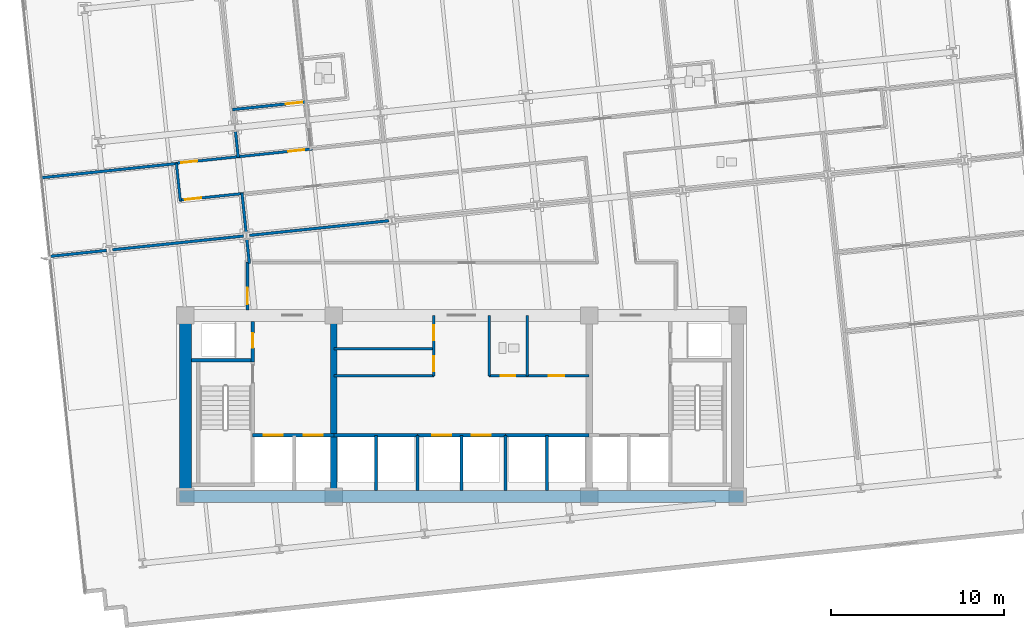
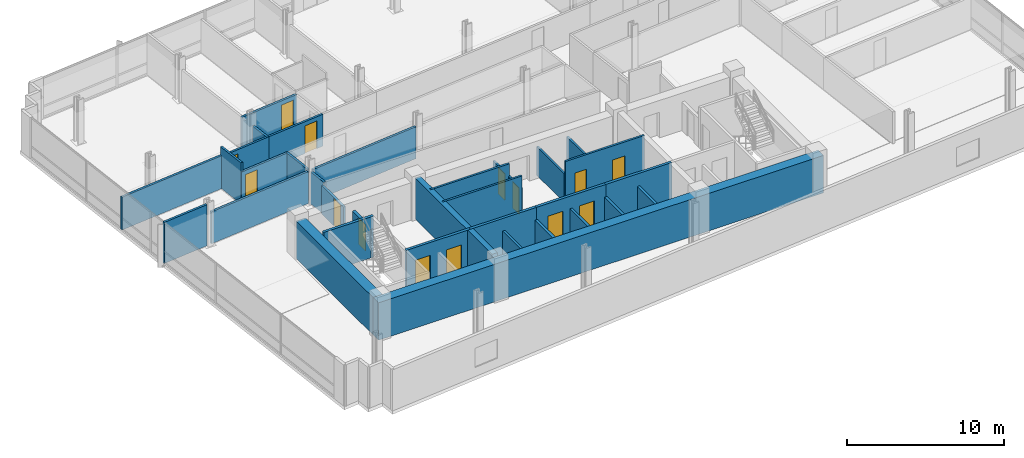
# One storey, part 13 of 21: 33 walls, 14 doors, 14 openings.
"""IFC4 building model written with IfcOpenShell, lengths in metres."""

from ifc_helpers import new_model, si_unit, direction, frame, frame_2d, origin, place, context, subcontext, project, spatial, rectangle, extrude, material, layer, layer_set, type_object, element, fill, save


model = new_model("IFC4")

# Units and contexts
model_context = context("Model", 3, precision=1e-05, world=origin(), true_north=direction((0.0, 1.0)))
body_context = subcontext(model_context, "Body", "Model", "MODEL_VIEW")
ifc_project = project(units=[si_unit("LENGTHUNIT", "METRE"), si_unit("AREAUNIT", "SQUARE_METRE"), si_unit("VOLUMEUNIT", "CUBIC_METRE"), si_unit("PLANEANGLEUNIT", "RADIAN"), si_unit("MASSUNIT", "GRAM", prefix="KILO")], contexts=[model_context])

# Site, building, storey
site_placement = place(None, origin())
site = spatial("IfcSite", under=ifc_project, at=site_placement, CompositionType="ELEMENT")
building_placement = place(site_placement, origin())
building = spatial("IfcBuilding", under=site, at=building_placement, Name="Solmavex Isthmus Hotel", CompositionType="ELEMENT")
storey_placement = place(building_placement, frame((0.0, 0.0, 106.35009765625)))
storey = spatial("IfcBuildingStorey", under=building, at=storey_placement, Name="L28", CompositionType="ELEMENT", Elevation=106.35009765625)

# Walls
ifc_material_1 = material(Name="Gypsum plasterboard lining", Category="gypsum")
ifc_layer_1 = layer(ifc_material_1, 0.159912109375)
ifc_layer_set_1 = layer_set([ifc_layer_1], Name="Gypsum plasterboard lining")
wall_type_1 = type_object("IfcWallType", Name="IW-COMP-160", PredefinedType="PARTITIONING", material=ifc_layer_set_1)
wall_1_placement = place(storey_placement, frame((-13.0986328125, 8.206787109375, 0.0), z_axis=(0.0, 0.0, 1.0), x_axis=(0.104578999325, -0.994516582516, 0.0)))
element("IfcWall", 1, at=wall_1_placement, inside=storey, type_object=wall_type_1, Name="Interior Partition Wall W-L28-P023", PredefinedType="PARTITIONING", context=body_context, shape_type="SweptSolid", body=[
    extrude(rectangle(XDim=1.561767578125, YDim=0.159912109375, at=frame_2d((0.78076171875, 0.0))), origin(), (0.0, 0.0, 1.0), 2.4794921875),
])
wall_2_placement = place(storey_placement, frame((-16.47802734375, 6.301513671875, 0.0), z_axis=(0.0, 0.0, 1.0), x_axis=(-0.994519786396, -0.104548526856, 0.0)))
element("IfcWall", 2, at=wall_2_placement, inside=storey, type_object=wall_type_1, Name="Interior Partition Wall W-L28-P026", PredefinedType="PARTITIONING", context=body_context, shape_type="SweptSolid", body=[
    extrude(rectangle(XDim=7.927978515625, YDim=0.159912109375, at=frame_2d((3.9638671875, 0.0))), origin(), (0.0, 0.0, 1.0), 2.55322265625),
])

# Wall, opening, door
wall_3_placement = place(storey_placement, frame((-13.266845703125, 9.424072265625, 0.0), z_axis=(0.0, 0.0, 1.0), x_axis=(0.994519401846, 0.104552184826, 0.0)))
wall_3 = element("IfcWall", 3, at=wall_3_placement, inside=storey, type_object=wall_type_1, Name="Interior Partition Wall W-L28-P027", PredefinedType="PARTITIONING", context=body_context, shape_type="SweptSolid", body=[
    extrude(rectangle(XDim=4.31298828125, YDim=0.159912109375, at=frame_2d((2.156494140625, 0.0))), origin(), (0.0, 0.0, 1.0), 2.4794921875),
])
opening_1_placement = place(wall_3_placement, frame((3.103759765625, 0.0, 0.0)))
opening_1 = element("IfcOpeningElement", 4, at=opening_1_placement, cuts=wall_3, Name="Opening ID-C095", PredefinedType="OPENING", context=body_context, shape_type="SweptSolid", body=[
    extrude(rectangle(XDim=0.949951171875, YDim=2.14990234375, at=frame_2d((0.47509765625, 1.074951171875))), frame((0.0, 0.08984375, 0.0), z_axis=(0.0, -1.0, 0.0), x_axis=(1.0, 0.0, 0.0)), (0.0, 0.0, 1.0), 0.179931640625),
])
ifc_material_2 = material(Name="Hardwood timber", Category="wood")
door_type_1 = type_object("IfcDoorType", Name="IDR-FD60-0950", OperationType="NOTDEFINED", PredefinedType="DOOR", material=ifc_material_2)
door_1_placement = place(opening_1_placement, origin())
door_1 = element("IfcDoor", 5, at=door_1_placement, inside=storey, type_object=door_type_1, Name="Premier Suite Master Bedroom Door L28-03", OperationType="SINGLE_SWING_LEFT", OverallHeight=2.14990234375, OverallWidth=0.949951171875, PredefinedType="DOOR", context=body_context, shape_type="SweptSolid", body=[
    extrude(rectangle(XDim=0.949951171875, YDim=2.14990234375, at=frame_2d((0.47509765625, 1.074951171875))), frame((0.0, 0.02490234375, 0.0), z_axis=(0.0, -1.0, 0.0), x_axis=(1.0, 0.0, 0.0)), (0.0, 0.0, 1.0), 0.050048828125),
])
fill(opening_1, door_1)

# Walls
wall_4_placement = place(storey_placement, frame((-12.718994140625, 4.594970703125, 0.0), z_axis=(0.0, 0.0, 1.0), x_axis=(0.104569435529, -0.994517588157, 0.0)))
element("IfcWall", 6, at=wall_4_placement, inside=storey, type_object=wall_type_1, Name="Interior Partition Wall W-L28-P049", PredefinedType="PARTITIONING", context=body_context, shape_type="SweptSolid", body=[
    extrude(rectangle(XDim=2.313720703125, YDim=0.159912109375, at=frame_2d((1.15673828125, 0.0))), origin(), (0.0, 0.0, 1.0), 2.4794921875),
])
wall_5_placement = place(storey_placement, frame((-20.558349609375, 1.267333984375, 0.0), z_axis=(0.0, 0.0, 1.0), x_axis=(-0.99451904707, -0.10455555946, 0.0)))
element("IfcWall", 7, at=wall_5_placement, inside=storey, type_object=wall_type_1, Name="Interior Partition Wall W-L28-P050", PredefinedType="PARTITIONING", context=body_context, shape_type="SweptSolid", body=[
    extrude(rectangle(XDim=3.34375, YDim=0.159912109375, at=frame_2d((1.671875, 0.0))), origin(), (0.0, 0.0, 1.0), 3.18994140625),
])
wall_6_placement = place(storey_placement, frame((-12.634033203125, 2.10009765625, 0.0), z_axis=(0.0, 0.0, 1.0), x_axis=(-0.994524056968, -0.104507894972, 0.0)))
element("IfcWall", 8, at=wall_6_placement, inside=storey, type_object=wall_type_1, Name="Interior Partition Wall W-L28-P051", PredefinedType="PARTITIONING", context=body_context, shape_type="SweptSolid", body=[
    extrude(rectangle(XDim=7.61572265625, YDim=0.159912109375, at=frame_2d((3.807861328125, 0.0))), origin(), (0.0, 0.0, 1.0), 2.4794921875),
])
wall_7_placement = place(storey_placement, frame((-4.21435546875, 2.985107421875, 0.0), z_axis=(0.0, 0.0, 1.0), x_axis=(-0.994521269983, -0.104534413238, 0.0)))
element("IfcWall", 9, at=wall_7_placement, inside=storey, type_object=wall_type_1, Name="Interior Partition Wall W-L28-P054", PredefinedType="PARTITIONING", context=body_context, shape_type="SweptSolid", body=[
    extrude(rectangle(XDim=8.113525390625, YDim=0.159912109375, at=frame_2d((4.056640625, 0.0))), origin(), (0.0, 0.0, 1.0), 2.4794921875),
])
wall_8_placement = place(storey_placement, frame((-12.289794921875, 0.51025390625, 0.0), z_axis=(0.0, 0.0, 1.0), x_axis=(-0.104534854339, 0.994521223619, 0.0)))
element("IfcWall", 10, at=wall_8_placement, inside=storey, type_object=wall_type_1, Name="Interior Partition Wall W-L28-P061", PredefinedType="PARTITIONING", context=body_context, shape_type="SweptSolid", body=[
    extrude(rectangle(XDim=1.44091796875, YDim=0.159912109375, at=frame_2d((0.720458984375, 0.0))), origin(), (0.0, 0.0, 1.0), 2.4794921875),
])
ifc_layer_2 = layer(ifc_material_1, 0.14990234375)
ifc_layer_set_2 = layer_set([ifc_layer_2], Name="Gypsum plasterboard lining")
wall_type_2 = type_object("IfcWallType", Name="IW-CORR-150", PredefinedType="PARTITIONING", material=ifc_layer_set_2)
wall_9_placement = place(storey_placement, frame((-7.39990234375, -6.0, 0.0), z_axis=(0.0, 0.0, 1.0), x_axis=(1.0, 0.0, 0.0)))
element("IfcWall", 11, at=wall_9_placement, inside=storey, type_object=wall_type_2, Name="Interior Partition Wall W-L28-BOH-WS", PredefinedType="PARTITIONING", context=body_context, shape_type="SweptSolid", body=[
    extrude(rectangle(XDim=5.7998046875, YDim=0.14990234375, at=frame_2d((2.89990234375, 0.0))), origin(), (0.0, 0.0, 1.0), 3.18994140625),
])

# Wall, openings, doors
wall_10_placement = place(storey_placement, frame((-1.60009765625, -6.0, 0.0), z_axis=(0.0, 0.0, 1.0), x_axis=(0.0, 1.0, 0.0)))
wall_10 = element("IfcWall", 12, at=wall_10_placement, inside=storey, type_object=wall_type_2, Name="Interior Partition Wall W-L28-BOH-WE", PredefinedType="PARTITIONING", context=body_context, shape_type="SweptSolid", body=[
    extrude(rectangle(XDim=3.5, YDim=0.14990234375, at=frame_2d((1.75, 0.0))), origin(), (0.0, 0.0, 1.0), 2.224853515625),
])
opening_2_placement = place(wall_10_placement, frame((0.27490234375, 0.0, 0.0)))
opening_2 = element("IfcOpeningElement", 13, at=opening_2_placement, cuts=wall_10, Name="Opening ID-R085", PredefinedType="OPENING", context=body_context, shape_type="SweptSolid", body=[
    extrude(rectangle(XDim=0.85009765625, YDim=2.050048828125, at=frame_2d((0.425048828125, 1.02490234375))), frame((0.0, 0.0849609375, 0.0), z_axis=(0.0, -1.0, 0.0), x_axis=(1.0, 0.0, 0.0)), (0.0, 0.0, 1.0), 0.169921875),
])
opening_3_placement = place(wall_10_placement, frame((2.074951171875, 0.0, 0.0)))
opening_3 = element("IfcOpeningElement", 14, at=opening_3_placement, cuts=wall_10, Name="Opening ID-R085", PredefinedType="OPENING", context=body_context, shape_type="SweptSolid", body=[
    extrude(rectangle(XDim=0.85009765625, YDim=2.050048828125, at=frame_2d((0.425048828125, 1.02490234375))), frame((0.0, 0.0849609375, 0.0), z_axis=(0.0, -1.0, 0.0), x_axis=(1.0, 0.0, 0.0)), (0.0, 0.0, 1.0), 0.169921875),
])
ifc_material_3 = material(Name="Steel ASTM A500 Grade C", Category="steel")
door_type_2 = type_object("IfcDoorType", Name="IDR-FD60-0850", OperationType="NOTDEFINED", PredefinedType="DOOR", material=ifc_material_3)
door_2_placement = place(opening_2_placement, origin())
door_2 = element("IfcDoor", 15, at=door_2_placement, inside=storey, type_object=door_type_2, Name="Housekeeping Door L28", OperationType="SINGLE_SWING_LEFT", OverallHeight=2.050048828125, OverallWidth=0.85009765625, PredefinedType="DOOR", context=body_context, shape_type="SweptSolid", body=[
    extrude(rectangle(XDim=0.85009765625, YDim=2.050048828125, at=frame_2d((0.425048828125, 1.02490234375))), frame((0.0, 0.02490234375, 0.0), z_axis=(0.0, -1.0, 0.0), x_axis=(1.0, 0.0, 0.0)), (0.0, 0.0, 1.0), 0.050048828125),
])
fill(opening_2, door_2)
door_3_placement = place(opening_3_placement, origin())
door_3 = element("IfcDoor", 16, at=door_3_placement, inside=storey, type_object=door_type_2, Name="Valet Store Door L28", OperationType="SINGLE_SWING_RIGHT", OverallHeight=2.050048828125, OverallWidth=0.85009765625, PredefinedType="DOOR", context=body_context, shape_type="SweptSolid", body=[
    extrude(rectangle(XDim=0.85009765625, YDim=2.050048828125, at=frame_2d((0.425048828125, 1.02490234375))), frame((0.0, 0.02490234375, 0.0), z_axis=(0.0, -1.0, 0.0), x_axis=(1.0, 0.0, 0.0)), (0.0, 0.0, 1.0), 0.050048828125),
])
fill(opening_3, door_3)

wall_11_placement = place(storey_placement, frame((1.60009765625, -6.0, 0.0), z_axis=(0.0, 0.0, 1.0), x_axis=(1.0, 0.0, 0.0)))
wall_11 = element("IfcWall", 17, at=wall_11_placement, inside=storey, type_object=wall_type_2, Name="Interior Partition Wall W-L28-BOH-ES", PredefinedType="PARTITIONING", context=body_context, shape_type="SweptSolid", body=[
    extrude(rectangle(XDim=5.7998046875, YDim=0.14990234375, at=frame_2d((2.89990234375, 0.0))), origin(), (0.0, 0.0, 1.0), 3.18994140625),
])
opening_4_placement = place(wall_11_placement, frame((0.675048828125, 0.0, 0.0)))
opening_4 = element("IfcOpeningElement", 18, at=opening_4_placement, cuts=wall_11, Name="Opening ID-R085", PredefinedType="OPENING", context=body_context, shape_type="SweptSolid", body=[
    extrude(rectangle(XDim=0.85009765625, YDim=2.050048828125, at=frame_2d((0.425048828125, 1.02490234375))), frame((0.0, 0.0849609375, 0.0), z_axis=(0.0, -1.0, 0.0), x_axis=(1.0, 0.0, 0.0)), (0.0, 0.0, 1.0), 0.169921875),
])
opening_5_placement = place(wall_11_placement, frame((3.449951171875, 0.0, 0.0)))
opening_5 = element("IfcOpeningElement", 19, at=opening_5_placement, cuts=wall_11, Name="Opening ID-C090", PredefinedType="OPENING", context=body_context, shape_type="SweptSolid", body=[
    extrude(rectangle(XDim=0.89990234375, YDim=2.10009765625, at=frame_2d((0.449951171875, 1.050048828125))), frame((0.0, 0.0849609375, 0.0), z_axis=(0.0, -1.0, 0.0), x_axis=(1.0, 0.0, 0.0)), (0.0, 0.0, 1.0), 0.169921875),
])
door_4_placement = place(opening_4_placement, frame((0.85009765625, 0.0, 0.0), z_axis=(0.0, 0.0, 1.0), x_axis=(-1.0, 0.0, 0.0)))
door_4 = element("IfcDoor", 20, at=door_4_placement, inside=storey, type_object=door_type_2, Name="Staff WC Door L28", OperationType="SINGLE_SWING_LEFT", OverallHeight=2.050048828125, OverallWidth=0.85009765625, PredefinedType="DOOR", context=body_context, shape_type="SweptSolid", body=[
    extrude(rectangle(XDim=0.85009765625, YDim=2.050048828125, at=frame_2d((0.425048828125, 1.02490234375))), frame((0.0, 0.02490234375, 0.0), z_axis=(0.0, -1.0, 0.0), x_axis=(1.0, 0.0, 0.0)), (0.0, 0.0, 1.0), 0.050048828125),
])
fill(opening_4, door_4)
door_type_3 = type_object("IfcDoorType", Name="IDR-FD60-0900", OperationType="NOTDEFINED", PredefinedType="DOOR", material=ifc_material_2)
door_5_placement = place(opening_5_placement, frame((0.89990234375, 0.0, 0.0), z_axis=(0.0, 0.0, 1.0), x_axis=(-1.0, 0.0, 0.0)))
door_5 = element("IfcDoor", 21, at=door_5_placement, inside=storey, type_object=door_type_3, Name="Room Service Door L28", OperationType="SINGLE_SWING_RIGHT", OverallHeight=2.10009765625, OverallWidth=0.89990234375, PredefinedType="DOOR", context=body_context, shape_type="SweptSolid", body=[
    extrude(rectangle(XDim=0.89990234375, YDim=2.10009765625, at=frame_2d((0.449951171875, 1.050048828125))), frame((0.0, 0.02490234375, 0.0), z_axis=(0.0, -1.0, 0.0), x_axis=(1.0, 0.0, 0.0)), (0.0, 0.0, 1.0), 0.050048828125),
])
fill(opening_5, door_5)

# Wall
wall_12_placement = place(storey_placement, frame((1.60009765625, -6.0, 0.0), z_axis=(0.0, 0.0, 1.0), x_axis=(0.0, 1.0, 0.0)))
element("IfcWall", 22, at=wall_12_placement, inside=storey, type_object=wall_type_2, Name="Interior Partition Wall W-L28-BOH-EW", PredefinedType="PARTITIONING", context=body_context, shape_type="SweptSolid", body=[
    extrude(rectangle(XDim=3.5, YDim=0.14990234375, at=frame_2d((1.75, 0.0))), origin(), (0.0, 0.0, 1.0), 2.224853515625),
])

# Wall, opening, door
wall_13_placement = place(storey_placement, frame((-16.5595703125, 6.31298828125, 0.0), z_axis=(0.0, 0.0, 1.0), x_axis=(0.994525204328, 0.104496975826, 0.0)))
wall_13 = element("IfcWall", 23, at=wall_13_placement, inside=storey, type_object=wall_type_2, Name="Interior Partition Wall W-L28-P001", PredefinedType="PARTITIONING", context=body_context, shape_type="SweptSolid", body=[
    extrude(rectangle(XDim=3.7216796875, YDim=0.14990234375, at=frame_2d((1.86083984375, 0.0))), origin(), (0.0, 0.0, 1.0), 2.4794921875),
])
opening_6_placement = place(wall_13_placement, frame((0.315185546875, 0.0, 0.0)))
opening_6 = element("IfcOpeningElement", 24, at=opening_6_placement, cuts=wall_13, Name="Opening ID-C095", PredefinedType="OPENING", context=body_context, shape_type="SweptSolid", body=[
    extrude(rectangle(XDim=0.949951171875, YDim=2.14990234375, at=frame_2d((0.47509765625, 1.074951171875))), frame((0.0, 0.0849609375, 0.0), z_axis=(0.0, -1.0, 0.0), x_axis=(1.0, 0.0, 0.0)), (0.0, 0.0, 1.0), 0.169921875),
])
door_6_placement = place(opening_6_placement, frame((0.949951171875, 0.0, 0.0), z_axis=(0.0, 0.0, 1.0), x_axis=(-1.0, 0.0, 0.0)))
door_6 = element("IfcDoor", 25, at=door_6_placement, inside=storey, type_object=door_type_1, Name="Executive Hospitality Lounge Door L28-01", OperationType="SINGLE_SWING_LEFT", OverallHeight=2.14990234375, OverallWidth=0.949951171875, PredefinedType="DOOR", context=body_context, shape_type="SweptSolid", body=[
    extrude(rectangle(XDim=0.949951171875, YDim=2.14990234375, at=frame_2d((0.47509765625, 1.074951171875))), frame((0.0, 0.02490234375, 0.0), z_axis=(0.0, -1.0, 0.0), x_axis=(1.0, 0.0, 0.0)), (0.0, 0.0, 1.0), 0.050048828125),
])
fill(opening_6, door_6)

wall_14_placement = place(storey_placement, frame((-13.021240234375, 6.684814453125, 0.0), z_axis=(0.0, 0.0, 1.0), x_axis=(0.9945197426, 0.104548943463, 0.0)))
wall_14 = element("IfcWall", 26, at=wall_14_placement, inside=storey, type_object=wall_type_2, Name="Interior Partition Wall W-L28-P002", PredefinedType="PARTITIONING", context=body_context, shape_type="SweptSolid", body=[
    extrude(rectangle(XDim=4.397216796875, YDim=0.14990234375, at=frame_2d((2.19873046875, 0.0))), origin(), (0.0, 0.0, 1.0), 2.4794921875),
])
opening_7_placement = place(wall_14_placement, frame((2.99267578125, 0.0, 0.0)))
opening_7 = element("IfcOpeningElement", 27, at=opening_7_placement, cuts=wall_14, Name="Opening ID-C095", PredefinedType="OPENING", context=body_context, shape_type="SweptSolid", body=[
    extrude(rectangle(XDim=0.949951171875, YDim=2.14990234375, at=frame_2d((0.47509765625, 1.074951171875))), frame((0.0, 0.0849609375, 0.0), z_axis=(0.0, -1.0, 0.0), x_axis=(1.0, 0.0, 0.0)), (0.0, 0.0, 1.0), 0.169921875),
])
door_7_placement = place(opening_7_placement, frame((0.949951171875, 0.0, 0.0), z_axis=(0.0, 0.0, 1.0), x_axis=(-1.0, 0.0, 0.0)))
door_7 = element("IfcDoor", 28, at=door_7_placement, inside=storey, type_object=door_type_1, Name="Premier Suite Entrance Hall Door L28-02", OperationType="SINGLE_SWING_RIGHT", OverallHeight=2.14990234375, OverallWidth=0.949951171875, PredefinedType="DOOR", context=body_context, shape_type="SweptSolid", body=[
    extrude(rectangle(XDim=0.949951171875, YDim=2.14990234375, at=frame_2d((0.47509765625, 1.074951171875))), frame((0.0, 0.02490234375, 0.0), z_axis=(0.0, -1.0, 0.0), x_axis=(1.0, 0.0, 0.0)), (0.0, 0.0, 1.0), 0.050048828125),
])
fill(opening_7, door_7)

wall_15_placement = place(storey_placement, frame((-12.63330078125, 4.563720703125, 0.0), z_axis=(0.0, 0.0, 1.0), x_axis=(-0.994525920558, -0.104490159046, 0.0)))
wall_15 = element("IfcWall", 29, at=wall_15_placement, inside=storey, type_object=wall_type_2, Name="Interior Partition Wall W-L28-P010", PredefinedType="PARTITIONING", context=body_context, shape_type="SweptSolid", body=[
    extrude(rectangle(XDim=3.721923828125, YDim=0.14990234375, at=frame_2d((1.86083984375, 0.0))), origin(), (0.0, 0.0, 1.0), 2.4794921875),
])
opening_8_placement = place(wall_15_placement, frame((2.456787109375, 0.0, 0.0)))
opening_8 = element("IfcOpeningElement", 30, at=opening_8_placement, cuts=wall_15, Name="Opening ID-C095", PredefinedType="OPENING", context=body_context, shape_type="SweptSolid", body=[
    extrude(rectangle(XDim=0.949951171875, YDim=2.14990234375, at=frame_2d((0.47509765625, 1.074951171875))), frame((0.0, 0.0849609375, 0.0), z_axis=(0.0, -1.0, 0.0), x_axis=(1.0, 0.0, 0.0)), (0.0, 0.0, 1.0), 0.169921875),
])
door_8_placement = place(opening_8_placement, frame((0.949951171875, 0.0, 0.0), z_axis=(0.0, 0.0, 1.0), x_axis=(-1.0, 0.0, 0.0)))
door_8 = element("IfcDoor", 31, at=door_8_placement, inside=storey, type_object=door_type_1, Name="Garden Servery Kitchen Door L28-11", OperationType="SINGLE_SWING_LEFT", OverallHeight=2.14990234375, OverallWidth=0.949951171875, PredefinedType="DOOR", context=body_context, shape_type="SweptSolid", body=[
    extrude(rectangle(XDim=0.949951171875, YDim=2.14990234375, at=frame_2d((0.47509765625, 1.074951171875))), frame((0.0, 0.02490234375, 0.0), z_axis=(0.0, -1.0, 0.0), x_axis=(1.0, 0.0, 0.0)), (0.0, 0.0, 1.0), 0.050048828125),
])
fill(opening_8, door_8)

# Wall
wall_16_placement = place(storey_placement, frame((-16.291015625, 4.13916015625, 0.0), z_axis=(0.0, 0.0, 1.0), x_axis=(-0.104512255544, 0.994523598735, 0.0)))
element("IfcWall", 32, at=wall_16_placement, inside=storey, type_object=wall_type_2, Name="Interior Partition Wall W-L28-P011", PredefinedType="PARTITIONING", context=body_context, shape_type="SweptSolid", body=[
    extrude(rectangle(XDim=2.2099609375, YDim=0.14990234375, at=frame_2d((1.10498046875, 0.0))), origin(), (0.0, 0.0, 1.0), 3.18994140625),
])

# Wall, opening, door
wall_17_placement = place(storey_placement, frame((-12.39990234375, -2.18994140625, 0.0), z_axis=(0.0, 0.0, 1.0), x_axis=(0.0, 1.0, 0.0)))
wall_17 = element("IfcWall", 33, at=wall_17_placement, inside=storey, type_object=wall_type_2, Name="Interior Partition Wall W-L28-P018", PredefinedType="PARTITIONING", context=body_context, shape_type="SweptSolid", body=[
    extrude(rectangle(XDim=2.780029296875, YDim=0.14990234375, at=frame_2d((1.39013671875, 0.0))), origin(), (0.0, 0.0, 1.0), 2.224853515625),
])
opening_9_placement = place(wall_17_placement, frame((0.347900390625, 0.0, 0.0)))
opening_9 = element("IfcOpeningElement", 34, at=opening_9_placement, cuts=wall_17, Name="Opening ID-C095", PredefinedType="OPENING", context=body_context, shape_type="SweptSolid", body=[
    extrude(rectangle(XDim=0.949951171875, YDim=2.14990234375, at=frame_2d((0.47509765625, 1.074951171875))), frame((0.0, 0.0849609375, 0.0), z_axis=(0.0, -1.0, 0.0), x_axis=(1.0, 0.0, 0.0)), (0.0, 0.0, 1.0), 0.169921875),
])
door_9_placement = place(opening_9_placement, frame((0.949951171875, 0.0, 0.0), z_axis=(0.0, 0.0, 1.0), x_axis=(-1.0, 0.0, 0.0)))
door_9 = element("IfcDoor", 35, at=door_9_placement, inside=storey, type_object=door_type_1, Name="Garden Servery Kitchen Door L28-17", OperationType="SINGLE_SWING_LEFT", OverallHeight=2.14990234375, OverallWidth=0.949951171875, PredefinedType="DOOR", context=body_context, shape_type="SweptSolid", body=[
    extrude(rectangle(XDim=0.949951171875, YDim=2.14990234375, at=frame_2d((0.47509765625, 1.074951171875))), frame((0.0, 0.02490234375, 0.0), z_axis=(0.0, -1.0, 0.0), x_axis=(1.0, 0.0, 0.0)), (0.0, 0.0, 1.0), 0.050048828125),
])
fill(opening_9, door_9)

# Walls
ifc_layer_3 = layer(ifc_material_1, 0.1201171875)
ifc_layer_set_3 = layer_set([ifc_layer_3], Name="Gypsum plasterboard lining")
wall_type_3 = type_object("IfcWallType", Name="IW-PART-120", PredefinedType="PARTITIONING", material=ifc_layer_set_3)
wall_18_placement = place(storey_placement, frame((-7.39990234375, -4.425048828125, 0.0), z_axis=(0.0, 0.0, 1.0), x_axis=(1.0, 0.0, 0.0)))
element("IfcWall", 36, at=wall_18_placement, inside=storey, type_object=wall_type_3, Name="Interior Partition Wall W-L28-BOH-WH3", PredefinedType="PARTITIONING", context=body_context, shape_type="SweptSolid", body=[
    extrude(rectangle(XDim=5.7998046875, YDim=0.14990234375, at=frame_2d((2.89990234375, 0.0))), origin(), (0.0, 0.0, 1.0), 3.18994140625),
])
wall_19_placement = place(storey_placement, frame((3.800048828125, -6.0, 0.0), z_axis=(0.0, 0.0, 1.0), x_axis=(0.0, 1.0, 0.0)))
element("IfcWall", 37, at=wall_19_placement, inside=storey, type_object=wall_type_3, Name="Interior Partition Wall W-L28-BOH-EM3", PredefinedType="PARTITIONING", context=body_context, shape_type="SweptSolid", body=[
    extrude(rectangle(XDim=3.5, YDim=0.14990234375, at=frame_2d((1.75, 0.0))), origin(), (0.0, 0.0, 1.0), 2.224853515625),
])
ifc_material_4 = material(Name="Concrete C40/50", Category="concrete")
ifc_layer_4 = layer(ifc_material_4, 0.179931640625)
ifc_layer_set_4 = layer_set([ifc_layer_4], Name="Concrete C40/50")
wall_type_4 = type_object("IfcWallType", Name="IW-SHAFT-180", PredefinedType="PARTITIONING", material=ifc_layer_set_4)
for number, where, z_axis, x_axis, name in (
    (38, (-4.949951171875, -12.64990234375, 0.0), (0.0, 0.0, 1.0), (0.0, 1.0, 0.0), "Interior Partition Wall W-L28-SH-PLL-M"),
    (39, (0.0, -12.64990234375, 0.0), (0.0, 0.0, 1.0), (0.0, 1.0, 0.0), "Interior Partition Wall W-L28-SH-PLM-M"),
    (40, (4.949951171875, -12.64990234375, 0.0), (0.0, 0.0, 1.0), (0.0, 1.0, 0.0), "Interior Partition Wall W-L28-SH-PLH-M"),
):
    element("IfcWall", number, at=place(storey_placement, frame(where, z_axis=z_axis, x_axis=x_axis)), inside=storey, type_object=wall_type_4, Name=name, PredefinedType="PARTITIONING", context=body_context, shape_type="SweptSolid", body=[
        extrude(rectangle(XDim=3.199951171875, YDim=0.179931640625, at=frame_2d((1.60009765625, 0.0))), origin(), (0.0, 0.0, 1.0), 2.224853515625),
    ])

# Wall, opening, door
ifc_layer_5 = layer(ifc_material_4, 0.199951171875)
ifc_layer_set_5 = layer_set([ifc_layer_5], Name="Concrete C40/50")
wall_type_5 = type_object("IfcWallType", Name="IW-SHAFT-200", PredefinedType="PARTITIONING", material=ifc_layer_set_5)
wall_20_placement = place(storey_placement, frame((-12.10009765625, -5.199951171875, 0.0), z_axis=(0.0, 0.0, 1.0), x_axis=(0.0, 1.0, 0.0)))
wall_20 = element("IfcWall", 41, at=wall_20_placement, inside=storey, type_object=wall_type_5, Name="Interior Partition Wall W-L28-RSW-E", PredefinedType="PARTITIONING", context=body_context, shape_type="SweptSolid", body=[
    extrude(rectangle(XDim=2.349853515625, YDim=0.199951171875, at=frame_2d((1.1748046875, 0.0))), origin(), (0.0, 0.0, 1.0), 2.224853515625),
])
opening_10_placement = place(wall_20_placement, frame((0.824951171875, 0.0, 0.0)))
opening_10 = element("IfcOpeningElement", 42, at=opening_10_placement, cuts=wall_20, Name="Opening ID-R085", PredefinedType="OPENING", context=body_context, shape_type="SweptSolid", body=[
    extrude(rectangle(XDim=0.85009765625, YDim=2.050048828125, at=frame_2d((0.425048828125, 1.02490234375))), frame((0.0, 0.10986328125, 0.0), z_axis=(0.0, -1.0, 0.0), x_axis=(1.0, 0.0, 0.0)), (0.0, 0.0, 1.0), 0.219970703125),
])
door_10_placement = place(opening_10_placement, origin())
door_10 = element("IfcDoor", 43, at=door_10_placement, inside=storey, type_object=door_type_2, Name="Electrical Riser Door L28", OperationType="SINGLE_SWING_RIGHT", OverallHeight=2.050048828125, OverallWidth=0.85009765625, PredefinedType="DOOR", context=body_context, shape_type="SweptSolid", body=[
    extrude(rectangle(XDim=0.85009765625, YDim=2.050048828125, at=frame_2d((0.425048828125, 1.02490234375))), frame((0.0, 0.02490234375, 0.0), z_axis=(0.0, -1.0, 0.0), x_axis=(1.0, 0.0, 0.0)), (0.0, 0.0, 1.0), 0.050048828125),
])
fill(opening_10, door_10)

# Wall, openings, doors
wall_21_placement = place(storey_placement, frame((-12.10009765625, -9.449951171875, 0.0), z_axis=(0.0, 0.0, 1.0), x_axis=(1.0, 0.0, 0.0)))
wall_21 = element("IfcWall", 44, at=wall_21_placement, inside=storey, type_object=wall_type_5, Name="Interior Partition Wall W-L28-FFLW-S", PredefinedType="PARTITIONING", context=body_context, shape_type="SweptSolid", body=[
    extrude(rectangle(XDim=4.7001953125, YDim=0.199951171875, at=frame_2d((2.35009765625, 0.0))), origin(), (0.0, 0.0, 1.0), 3.18994140625),
])
opening_11_placement = place(wall_21_placement, frame((0.64990234375, 0.0, 0.0)))
opening_11 = element("IfcOpeningElement", 45, at=opening_11_placement, cuts=wall_21, Name="Opening LD-FF", PredefinedType="OPENING", context=body_context, shape_type="SweptSolid", body=[
    extrude(rectangle(XDim=1.10009765625, YDim=2.199951171875, at=frame_2d((0.550048828125, 1.10009765625))), frame((0.0, 0.10986328125, 0.0), z_axis=(0.0, -1.0, 0.0), x_axis=(1.0, 0.0, 0.0)), (0.0, 0.0, 1.0), 0.219970703125),
])
opening_12_placement = place(wall_21_placement, frame((2.949951171875, 0.0, 0.0)))
opening_12 = element("IfcOpeningElement", 46, at=opening_12_placement, cuts=wall_21, Name="Opening LD-SV", PredefinedType="OPENING", context=body_context, shape_type="SweptSolid", body=[
    extrude(rectangle(XDim=1.10009765625, YDim=2.199951171875, at=frame_2d((0.550048828125, 1.10009765625))), frame((0.0, 0.10986328125, 0.0), z_axis=(0.0, -1.0, 0.0), x_axis=(1.0, 0.0, 0.0)), (0.0, 0.0, 1.0), 0.219970703125),
])
ifc_material_5 = material(Name="Stainless steel 316", Category="steel")
door_type_4 = type_object("IfcDoorType", Name="LDR-FF-1100", OperationType="NOTDEFINED", PredefinedType="DOOR", material=ifc_material_5)
door_11_placement = place(opening_11_placement, origin())
door_11 = element("IfcDoor", 47, at=door_11_placement, inside=storey, type_object=door_type_4, Name="Lift Landing Door FFL-1 L28", OperationType="SLIDING_TO_LEFT", OverallHeight=2.199951171875, OverallWidth=1.10009765625, PredefinedType="DOOR", context=body_context, shape_type="SweptSolid", body=[
    extrude(rectangle(XDim=1.10009765625, YDim=2.199951171875, at=frame_2d((0.550048828125, 1.10009765625))), frame((0.0, 0.02490234375, 0.0), z_axis=(0.0, -1.0, 0.0), x_axis=(1.0, 0.0, 0.0)), (0.0, 0.0, 1.0), 0.050048828125),
])
fill(opening_11, door_11)
door_type_5 = type_object("IfcDoorType", Name="LDR-SV-1100", OperationType="NOTDEFINED", PredefinedType="DOOR", material=ifc_material_5)
door_12_placement = place(opening_12_placement, origin())
door_12 = element("IfcDoor", 48, at=door_12_placement, inside=storey, type_object=door_type_5, Name="Lift Landing Door SVL-1 L28", OperationType="SLIDING_TO_RIGHT", OverallHeight=2.199951171875, OverallWidth=1.10009765625, PredefinedType="DOOR", context=body_context, shape_type="SweptSolid", body=[
    extrude(rectangle(XDim=1.10009765625, YDim=2.199951171875, at=frame_2d((0.550048828125, 1.10009765625))), frame((0.0, 0.02490234375, 0.0), z_axis=(0.0, -1.0, 0.0), x_axis=(1.0, 0.0, 0.0)), (0.0, 0.0, 1.0), 0.050048828125),
])
fill(opening_12, door_12)

# Walls
wall_22_placement = place(storey_placement, frame((-7.39990234375, -9.449951171875, 0.0), z_axis=(0.0, 0.0, 1.0), x_axis=(1.0, 0.0, 0.0)))
element("IfcWall", 49, at=wall_22_placement, inside=storey, type_object=wall_type_5, Name="Interior Partition Wall W-L28-SH-PLL", PredefinedType="PARTITIONING", context=body_context, shape_type="SweptSolid", body=[
    extrude(rectangle(XDim=4.849853515625, YDim=0.199951171875, at=frame_2d((2.4248046875, 0.0))), origin(), (0.0, 0.0, 1.0), 3.18994140625),
])
wall_23_placement = place(storey_placement, frame((-2.550048828125, -12.64990234375, 0.0), z_axis=(0.0, 0.0, 1.0), x_axis=(0.0, 1.0, 0.0)))
element("IfcWall", 50, at=wall_23_placement, inside=storey, type_object=wall_type_5, Name="Interior Partition Wall W-L28-SH-PLL-E", PredefinedType="PARTITIONING", context=body_context, shape_type="SweptSolid", body=[
    extrude(rectangle(XDim=3.199951171875, YDim=0.199951171875, at=frame_2d((1.60009765625, 0.0))), origin(), (0.0, 0.0, 1.0), 2.224853515625),
])

# Wall, openings, doors
wall_24_placement = place(storey_placement, frame((-2.550048828125, -9.449951171875, 0.0), z_axis=(0.0, 0.0, 1.0), x_axis=(1.0, 0.0, 0.0)))
wall_24 = element("IfcWall", 51, at=wall_24_placement, inside=storey, type_object=wall_type_5, Name="Interior Partition Wall W-L28-SH-PLM", PredefinedType="PARTITIONING", context=body_context, shape_type="SweptSolid", body=[
    extrude(rectangle(XDim=5.10009765625, YDim=0.199951171875, at=frame_2d((2.550048828125, 0.0))), origin(), (0.0, 0.0, 1.0), 3.18994140625),
])
opening_13_placement = place(wall_24_placement, frame((0.85009765625, 0.0, 0.0)))
opening_13 = element("IfcOpeningElement", 52, at=opening_13_placement, cuts=wall_24, Name="Opening LD-PL", PredefinedType="OPENING", context=body_context, shape_type="SweptSolid", body=[
    extrude(rectangle(XDim=1.10009765625, YDim=2.199951171875, at=frame_2d((0.550048828125, 1.10009765625))), frame((0.0, 0.10986328125, 0.0), z_axis=(0.0, -1.0, 0.0), x_axis=(1.0, 0.0, 0.0)), (0.0, 0.0, 1.0), 0.219970703125),
])
opening_14_placement = place(wall_24_placement, frame((3.14990234375, 0.0, 0.0)))
opening_14 = element("IfcOpeningElement", 53, at=opening_14_placement, cuts=wall_24, Name="Opening LD-PL", PredefinedType="OPENING", context=body_context, shape_type="SweptSolid", body=[
    extrude(rectangle(XDim=1.10009765625, YDim=2.199951171875, at=frame_2d((0.550048828125, 1.10009765625))), frame((0.0, 0.10986328125, 0.0), z_axis=(0.0, -1.0, 0.0), x_axis=(1.0, 0.0, 0.0)), (0.0, 0.0, 1.0), 0.219970703125),
])
door_type_6 = type_object("IfcDoorType", Name="LDR-PL-1100", OperationType="NOTDEFINED", PredefinedType="DOOR", material=ifc_material_5)
door_13_placement = place(opening_13_placement, origin())
door_13 = element("IfcDoor", 54, at=door_13_placement, inside=storey, type_object=door_type_6, Name="Lift Landing Door PLM1 L28", OperationType="SLIDING_TO_RIGHT", OverallHeight=2.199951171875, OverallWidth=1.10009765625, PredefinedType="DOOR", context=body_context, shape_type="SweptSolid", body=[
    extrude(rectangle(XDim=1.10009765625, YDim=2.199951171875, at=frame_2d((0.550048828125, 1.10009765625))), frame((0.0, 0.02490234375, 0.0), z_axis=(0.0, -1.0, 0.0), x_axis=(1.0, 0.0, 0.0)), (0.0, 0.0, 1.0), 0.050048828125),
])
fill(opening_13, door_13)
door_14_placement = place(opening_14_placement, origin())
door_14 = element("IfcDoor", 55, at=door_14_placement, inside=storey, type_object=door_type_6, Name="Lift Landing Door PLM2 L28", OperationType="SLIDING_TO_RIGHT", OverallHeight=2.199951171875, OverallWidth=1.10009765625, PredefinedType="DOOR", context=body_context, shape_type="SweptSolid", body=[
    extrude(rectangle(XDim=1.10009765625, YDim=2.199951171875, at=frame_2d((0.550048828125, 1.10009765625))), frame((0.0, 0.02490234375, 0.0), z_axis=(0.0, -1.0, 0.0), x_axis=(1.0, 0.0, 0.0)), (0.0, 0.0, 1.0), 0.050048828125),
])
fill(opening_14, door_14)

# Walls
wall_25_placement = place(storey_placement, frame((2.550048828125, -12.64990234375, 0.0), z_axis=(0.0, 0.0, 1.0), x_axis=(0.0, 1.0, 0.0)))
element("IfcWall", 56, at=wall_25_placement, inside=storey, type_object=wall_type_5, Name="Interior Partition Wall W-L28-SH-PLM-E", PredefinedType="PARTITIONING", context=body_context, shape_type="SweptSolid", body=[
    extrude(rectangle(XDim=3.199951171875, YDim=0.199951171875, at=frame_2d((1.60009765625, 0.0))), origin(), (0.0, 0.0, 1.0), 2.224853515625),
])
wall_26_placement = place(storey_placement, frame((2.550048828125, -9.449951171875, 0.0), z_axis=(0.0, 0.0, 1.0), x_axis=(1.0, 0.0, 0.0)))
element("IfcWall", 57, at=wall_26_placement, inside=storey, type_object=wall_type_5, Name="Interior Partition Wall W-L28-SH-PLH", PredefinedType="PARTITIONING", context=body_context, shape_type="SweptSolid", body=[
    extrude(rectangle(XDim=4.849853515625, YDim=0.199951171875, at=frame_2d((2.4248046875, 0.0))), origin(), (0.0, 0.0, 1.0), 3.18994140625),
])
ifc_material_6 = material(Name="Concrete C60/75", Category="concrete")
ifc_layer_6 = layer(ifc_material_6, 0.39990234375)
ifc_layer_set_6 = layer_set([ifc_layer_6], Name="Concrete C60/75")
wall_type_6 = type_object("IfcWallType", Name="WALL-CW-400M", PredefinedType="SHEAR", material=ifc_layer_set_6)
wall_27_placement = place(storey_placement, frame((-7.39990234375, -12.64990234375, 0.0), z_axis=(0.0, 0.0, 1.0), x_axis=(0.0, 1.0, 0.0)))
element("IfcWall", 58, at=wall_27_placement, inside=storey, type_object=wall_type_6, Name="Core Cross Shear Wall C1 L28", PredefinedType="SHEAR", context=body_context, shape_type="SweptSolid", body=[
    extrude(rectangle(XDim=9.7998046875, YDim=0.39990234375, at=frame_2d((4.89990234375, 0.0))), origin(), (0.0, 0.0, 1.0), 3.18994140625),
])
ifc_layer_7 = layer(ifc_material_6, 0.699951171875)
ifc_layer_set_7 = layer_set([ifc_layer_7], Name="Concrete C60/75")
wall_type_7 = type_object("IfcWallType", Name="WALL-CW-700", PredefinedType="SHEAR", material=ifc_layer_set_7)
wall_28_placement = place(storey_placement, frame((-16.35009765625, -13.0, 0.0), z_axis=(0.0, 0.0, 1.0), x_axis=(1.0, 0.0, 0.0)))
element("IfcWall", 59, at=wall_28_placement, inside=storey, type_object=wall_type_7, Name="Core Shear Wall South L28", PredefinedType="SHEAR", context=body_context, shape_type="SweptSolid", body=[
    extrude(rectangle(XDim=32.7001953125, YDim=0.699951171875, at=frame_2d((16.35009765625, 0.0))), origin(), (0.0, 0.0, 1.0), 2.909912109375),
])
wall_29_placement = place(storey_placement, frame((-16.0, -12.64990234375, 0.0), z_axis=(0.0, 0.0, 1.0), x_axis=(0.0, 1.0, 0.0)))
element("IfcWall", 60, at=wall_29_placement, inside=storey, type_object=wall_type_7, Name="Core Shear Wall West L28", PredefinedType="SHEAR", context=body_context, shape_type="SweptSolid", body=[
    extrude(rectangle(XDim=9.7998046875, YDim=0.699951171875, at=frame_2d((4.89990234375, 0.0))), origin(), (0.0, 0.0, 1.0), 2.909912109375),
])
ifc_layer_8 = layer(ifc_material_4, 0.199951171875)
ifc_layer_set_8 = layer_set([ifc_layer_8], Name="Concrete C40/50")
wall_type_8 = type_object("IfcWallType", Name="WALL-SW-200", PredefinedType="SOLIDWALL", material=ifc_layer_set_8)
wall_30_placement = place(storey_placement, frame((-15.64990234375, -5.10009765625, 0.0), z_axis=(0.0, 0.0, 1.0), x_axis=(1.0, 0.0, 0.0)))
element("IfcWall", 61, at=wall_30_placement, inside=storey, type_object=wall_type_8, Name="Stairwell Structural Wall SW-L28-ST1-N", PredefinedType="SOLIDWALL", context=body_context, shape_type="SweptSolid", body=[
    extrude(rectangle(XDim=3.64990234375, YDim=0.199951171875, at=frame_2d((1.824951171875, 0.0))), origin(), (0.0, 0.0, 1.0), 3.18994140625),
])

save(model, "model.ifc")
